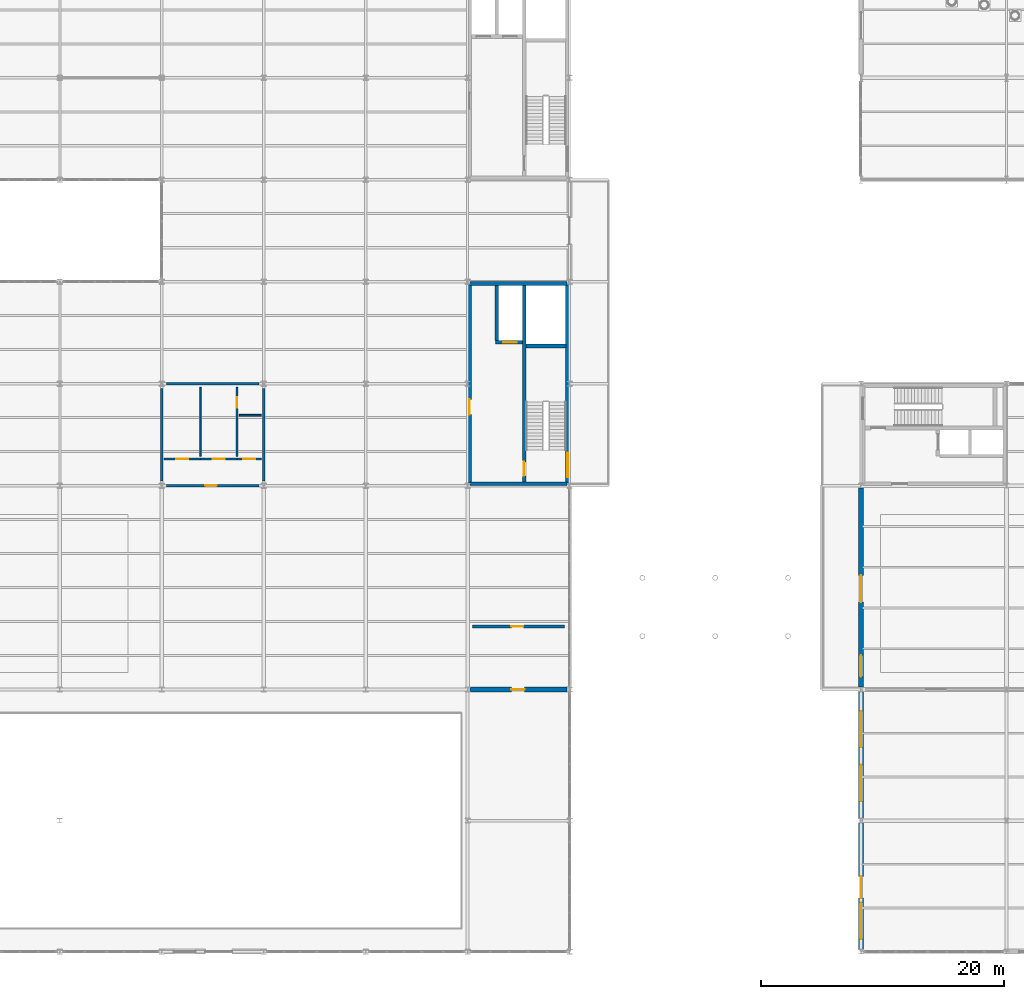
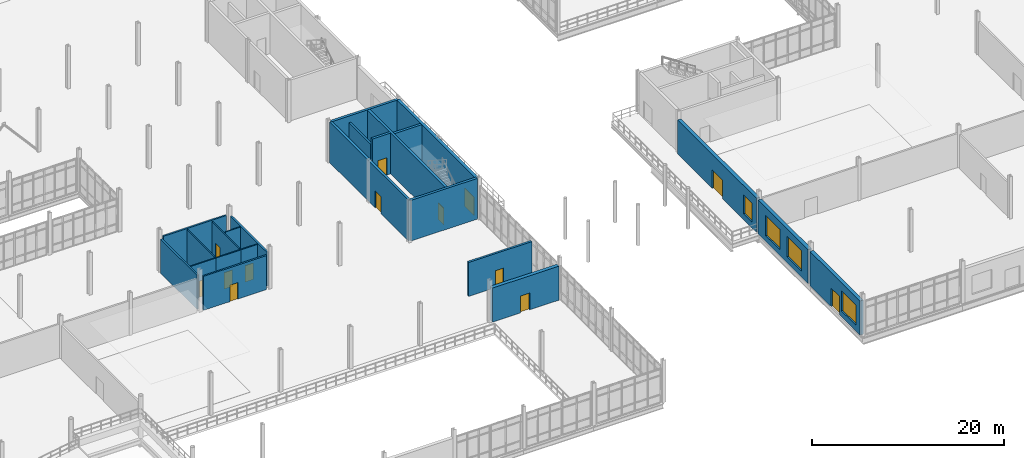
# One storey, part 97 of 111: 23 walls, 13 doors, 4 windows, 17 openings.
"""IFC4 building model written with IfcOpenShell, lengths in metres."""

from ifc_helpers import new_model, si_unit, direction, frame, frame_2d, origin, place, context, subcontext, project, spatial, rectangle, extrude, material, layer, layer_set, type_object, element, fill, save


model = new_model("IFC4")

# Units and contexts
model_context = context("Model", 3, precision=1e-05, world=origin(), true_north=direction((0.0, 1.0)))
body_context = subcontext(model_context, "Body", "Model", "MODEL_VIEW")
ifc_project = project(units=[si_unit("LENGTHUNIT", "METRE"), si_unit("AREAUNIT", "SQUARE_METRE"), si_unit("VOLUMEUNIT", "CUBIC_METRE"), si_unit("PLANEANGLEUNIT", "RADIAN"), si_unit("MASSUNIT", "GRAM", prefix="KILO"), si_unit("THERMODYNAMICTEMPERATUREUNIT", "KELVIN"), si_unit("POWERUNIT", "WATT")], contexts=[model_context])

# Site, building, storey
site_placement = place(None, origin())
site = spatial("IfcSite", under=ifc_project, at=site_placement, CompositionType="ELEMENT")
building_placement = place(site_placement, origin())
building = spatial("IfcBuilding", under=site, at=building_placement, Name="Tembeka Court Mobility Hub", CompositionType="ELEMENT")
storey_placement = place(building_placement, origin())
storey = spatial("IfcBuildingStorey", under=building, at=storey_placement, Name="L00", CompositionType="ELEMENT", Elevation=0.0)

# Wall, opening, door
ifc_material_1 = material(Name="Insulated Nairobi volcanic-tuff masonry", Category="masonry")
ifc_layer_1 = layer(ifc_material_1, 0.419921875)
ifc_layer_set_1 = layer_set([ifc_layer_1], Name="Insulated Nairobi volcanic-tuff masonry")
wall_type_1 = type_object("IfcWallType", Name="WL-EW01", PredefinedType="STANDARD", material=ifc_layer_set_1)
wall_1_placement = place(storey_placement, frame((84.197509765625, 21.60009765625, 0.0), z_axis=(0.0, 0.0, 1.0), x_axis=(1.0, 0.0, 0.0)))
wall_1 = element("IfcWall", 1, at=wall_1_placement, inside=storey, type_object=wall_type_1, Name="External wall EW01 (EW-L00-0066)", PredefinedType="STANDARD", context=body_context, shape_type="SweptSolid", body=[
    extrude(rectangle(XDim=8.0048828125, YDim=0.419921875, at=frame_2d((4.00244140625, 0.0))), origin(), (0.0, 0.0, 1.0), 4.3349609375),
])
opening_1_placement = place(wall_1_placement, frame((3.39990234375, 0.0, 0.0)))
opening_1 = element("IfcOpeningElement", 2, at=opening_1_placement, cuts=wall_1, Name="Opening ED05", PredefinedType="OPENING", context=body_context, shape_type="SweptSolid", body=[
    extrude(rectangle(XDim=1.10009765625, YDim=2.14990234375, at=frame_2d((0.550048828125, 1.074951171875))), frame((0.0, 0.219970703125, 0.0), z_axis=(0.0, -1.0, 0.0), x_axis=(1.0, 0.0, 0.0)), (0.0, 0.0, 1.0), 0.43994140625),
])
ifc_material_2 = material(Name="Powder-coated aluminium glazed doorset", Category="aluminium")
door_type_1 = type_object("IfcDoorType", Name="DR-ED05", OperationType="NOTDEFINED", PredefinedType="DOOR", material=ifc_material_2)
door_1_placement = place(opening_1_placement, frame((1.10009765625, 0.0, 0.0), z_axis=(0.0, 0.0, 1.0), x_axis=(-1.0, 0.0, 0.0)))
door_1 = element("IfcDoor", 3, at=door_1_placement, inside=storey, type_object=door_type_1, Name="Fire command room entrance ED05", OperationType="SINGLE_SWING_RIGHT", OverallHeight=2.14990234375, OverallWidth=1.10009765625, PredefinedType="DOOR", context=body_context, shape_type="SweptSolid", body=[
    extrude(rectangle(XDim=1.10009765625, YDim=2.14990234375, at=frame_2d((0.550048828125, 1.074951171875))), frame((0.0, 0.02490234375, 0.0), z_axis=(0.0, -1.0, 0.0), x_axis=(1.0, 0.0, 0.0)), (0.0, 0.0, 1.0), 0.050048828125),
])
fill(opening_1, door_1)

# Wall, openings, door, window
wall_2_placement = place(storey_placement, frame((116.39990234375, 0.1884765625, 0.0), z_axis=(0.0, 0.0, 1.0), x_axis=(0.0, 1.0, 0.0)))
wall_2 = element("IfcWall", 4, at=wall_2_placement, inside=storey, type_object=wall_type_1, Name="External wall EW01 (EW-L00-0072)", PredefinedType="STANDARD", context=body_context, shape_type="SweptSolid", body=[
    extrude(rectangle(XDim=10.423095703125, YDim=0.419921875, at=frame_2d((5.21142578125, 0.0))), origin(), (0.0, 0.0, 1.0), 4.3349609375),
])
opening_2_placement = place(wall_2_placement, frame((4.219970703125, 0.0, 0.0)))
opening_2 = element("IfcOpeningElement", 5, at=opening_2_placement, cuts=wall_2, Name="Opening E16", PredefinedType="OPENING", context=body_context, shape_type="SweptSolid", body=[
    extrude(rectangle(XDim=1.800048828125, YDim=2.35009765625, at=frame_2d((0.89990234375, 1.175048828125))), frame((0.0, 0.219970703125, 0.0), z_axis=(0.0, -1.0, 0.0), x_axis=(1.0, 0.0, 0.0)), (0.0, 0.0, 1.0), 0.43994140625),
])
opening_3_placement = place(wall_2_placement, frame((0.85009765625, 0.0, 0.75)))
opening_3 = element("IfcOpeningElement", 6, at=opening_3_placement, cuts=wall_2, Name="Opening WN03", PredefinedType="OPENING", context=body_context, shape_type="SweptSolid", body=[
    extrude(rectangle(XDim=3.0, YDim=2.60009765625, at=frame_2d((1.5, 1.300048828125))), frame((0.0, 0.219970703125, 0.0), z_axis=(0.0, -1.0, 0.0), x_axis=(1.0, 0.0, 0.0)), (0.0, 0.0, 1.0), 0.43994140625),
])
door_type_2 = type_object("IfcDoorType", Name="DR-E16", OperationType="NOTDEFINED", PredefinedType="DOOR", material=ifc_material_2)
door_2_placement = place(opening_2_placement, origin())
door_2 = element("IfcDoor", 7, at=door_2_placement, inside=storey, type_object=door_type_2, Name="Final exit E16 transit cafe terrace", OperationType="DOUBLE_DOOR_SINGLE_SWING", OverallHeight=2.35009765625, OverallWidth=1.800048828125, PredefinedType="DOOR", context=body_context, shape_type="SweptSolid", body=[
    extrude(rectangle(XDim=1.800048828125, YDim=2.35009765625, at=frame_2d((0.89990234375, 1.175048828125))), frame((0.0, 0.02490234375, 0.0), z_axis=(0.0, -1.0, 0.0), x_axis=(1.0, 0.0, 0.0)), (0.0, 0.0, 1.0), 0.050048828125),
])
fill(opening_2, door_2)
ifc_material_3 = material(Name="Laminated solar-control low-E glass", Category="glass")
window_type_1 = type_object("IfcWindowType", Name="WN-W03", PartitioningType="SINGLE_PANEL", PredefinedType="WINDOW", material=ifc_material_3)
window_1_placement = place(opening_3_placement, origin())
window_1 = element("IfcWindow", 8, at=window_1_placement, inside=storey, type_object=window_type_1, Name="Window WN03-0011", OverallHeight=2.60009765625, OverallWidth=3.0, PartitioningType="SINGLE_PANEL", PredefinedType="WINDOW", context=body_context, shape_type="SweptSolid", body=[
    extrude(rectangle(XDim=3.0, YDim=2.60009765625, at=frame_2d((1.5, 1.300048828125))), frame((0.0, 0.030029296875, 0.0), z_axis=(0.0, -1.0, 0.0), x_axis=(1.0, 0.0, 0.0)), (0.0, 0.0, 1.0), 0.06005859375),
])
fill(opening_3, window_1)

# Wall, openings, windows
wall_3_placement = place(storey_placement, frame((116.39990234375, 10.988525390625, 0.0), z_axis=(0.0, 0.0, 1.0), x_axis=(0.0, 1.0, 0.0)))
wall_3 = element("IfcWall", 9, at=wall_3_placement, inside=storey, type_object=wall_type_1, Name="External wall EW01 (EW-L00-0073)", PredefinedType="STANDARD", context=body_context, shape_type="SweptSolid", body=[
    extrude(rectangle(XDim=10.423095703125, YDim=0.419921875, at=frame_2d((5.21142578125, 0.0))), origin(), (0.0, 0.0, 1.0), 4.3349609375),
])
opening_4_placement = place(wall_3_placement, frame((1.39990234375, 0.0, 0.75)))
opening_4 = element("IfcOpeningElement", 10, at=opening_4_placement, cuts=wall_3, Name="Opening WN03", PredefinedType="OPENING", context=body_context, shape_type="SweptSolid", body=[
    extrude(rectangle(XDim=3.0, YDim=2.60009765625, at=frame_2d((1.5, 1.300048828125))), frame((0.0, 0.219970703125, 0.0), z_axis=(0.0, -1.0, 0.0), x_axis=(1.0, 0.0, 0.0)), (0.0, 0.0, 1.0), 0.43994140625),
])
opening_5_placement = place(wall_3_placement, frame((5.840087890625, 0.0, 0.75)))
opening_5 = element("IfcOpeningElement", 11, at=opening_5_placement, cuts=wall_3, Name="Opening WN03", PredefinedType="OPENING", context=body_context, shape_type="SweptSolid", body=[
    extrude(rectangle(XDim=3.0, YDim=2.60009765625, at=frame_2d((1.5, 1.300048828125))), frame((0.0, 0.219970703125, 0.0), z_axis=(0.0, -1.0, 0.0), x_axis=(1.0, 0.0, 0.0)), (0.0, 0.0, 1.0), 0.43994140625),
])
window_2_placement = place(opening_4_placement, origin())
window_2 = element("IfcWindow", 12, at=window_2_placement, inside=storey, type_object=window_type_1, Name="Window WN03-0012", OverallHeight=2.60009765625, OverallWidth=3.0, PartitioningType="SINGLE_PANEL", PredefinedType="WINDOW", context=body_context, shape_type="SweptSolid", body=[
    extrude(rectangle(XDim=3.0, YDim=2.60009765625, at=frame_2d((1.5, 1.300048828125))), frame((0.0, 0.030029296875, 0.0), z_axis=(0.0, -1.0, 0.0), x_axis=(1.0, 0.0, 0.0)), (0.0, 0.0, 1.0), 0.06005859375),
])
fill(opening_4, window_2)
window_3_placement = place(opening_5_placement, origin())
window_3 = element("IfcWindow", 13, at=window_3_placement, inside=storey, type_object=window_type_1, Name="Window WN03-0013", OverallHeight=2.60009765625, OverallWidth=3.0, PartitioningType="SINGLE_PANEL", PredefinedType="WINDOW", context=body_context, shape_type="SweptSolid", body=[
    extrude(rectangle(XDim=3.0, YDim=2.60009765625, at=frame_2d((1.5, 1.300048828125))), frame((0.0, 0.030029296875, 0.0), z_axis=(0.0, -1.0, 0.0), x_axis=(1.0, 0.0, 0.0)), (0.0, 0.0, 1.0), 0.06005859375),
])
fill(opening_5, window_3)

# Wall, openings, door, window
wall_4_placement = place(storey_placement, frame((116.39990234375, 21.78857421875, 0.0), z_axis=(0.0, 0.0, 1.0), x_axis=(0.0, 1.0, 0.0)))
wall_4 = element("IfcWall", 14, at=wall_4_placement, inside=storey, type_object=wall_type_1, Name="External wall EW01 (EW-L00-0074)", PredefinedType="STANDARD", context=body_context, shape_type="SweptSolid", body=[
    extrude(rectangle(XDim=16.429443359375, YDim=0.419921875, at=frame_2d((8.21484375, 0.0))), origin(), (0.0, 0.0, 1.0), 4.3349609375),
])
opening_6_placement = place(wall_4_placement, frame((7.02001953125, 0.0, 0.0)))
opening_6 = element("IfcOpeningElement", 15, at=opening_6_placement, cuts=wall_4, Name="Opening E12", PredefinedType="OPENING", context=body_context, shape_type="SweptSolid", body=[
    extrude(rectangle(XDim=2.199951171875, YDim=2.35009765625, at=frame_2d((1.10009765625, 1.175048828125))), frame((0.0, 0.219970703125, 0.0), z_axis=(0.0, -1.0, 0.0), x_axis=(1.0, 0.0, 0.0)), (0.0, 0.0, 1.0), 0.43994140625),
])
opening_7_placement = place(wall_4_placement, frame((0.85009765625, 0.0, 0.75)))
opening_7 = element("IfcOpeningElement", 16, at=opening_7_placement, cuts=wall_4, Name="Opening WN01", PredefinedType="OPENING", context=body_context, shape_type="SweptSolid", body=[
    extrude(rectangle(XDim=1.800048828125, YDim=2.39990234375, at=frame_2d((0.89990234375, 1.199951171875))), frame((0.0, 0.219970703125, 0.0), z_axis=(0.0, -1.0, 0.0), x_axis=(1.0, 0.0, 0.0)), (0.0, 0.0, 1.0), 0.43994140625),
])
door_type_3 = type_object("IfcDoorType", Name="DR-E12", OperationType="NOTDEFINED", PredefinedType="DOOR", material=ifc_material_2)
door_3_placement = place(opening_6_placement, origin())
door_3 = element("IfcDoor", 17, at=door_3_placement, inside=storey, type_object=door_type_3, Name="Main entrance E12 metro plaza arcade", OperationType="DOUBLE_DOOR_SINGLE_SWING", OverallHeight=2.35009765625, OverallWidth=2.199951171875, PredefinedType="DOOR", context=body_context, shape_type="SweptSolid", body=[
    extrude(rectangle(XDim=2.199951171875, YDim=2.35009765625, at=frame_2d((1.10009765625, 1.175048828125))), frame((0.0, 0.02490234375, 0.0), z_axis=(0.0, -1.0, 0.0), x_axis=(1.0, 0.0, 0.0)), (0.0, 0.0, 1.0), 0.050048828125),
])
fill(opening_6, door_3)
window_type_2 = type_object("IfcWindowType", Name="WN-W01", PartitioningType="SINGLE_PANEL", PredefinedType="WINDOW", material=ifc_material_3)
window_4_placement = place(opening_7_placement, origin())
window_4 = element("IfcWindow", 18, at=window_4_placement, inside=storey, type_object=window_type_2, Name="Window WN01-0014", OverallHeight=2.39990234375, OverallWidth=1.800048828125, PartitioningType="SINGLE_PANEL", PredefinedType="WINDOW", context=body_context, shape_type="SweptSolid", body=[
    extrude(rectangle(XDim=1.800048828125, YDim=2.39990234375, at=frame_2d((0.89990234375, 1.199951171875))), frame((0.0, 0.030029296875, 0.0), z_axis=(0.0, -1.0, 0.0), x_axis=(1.0, 0.0, 0.0)), (0.0, 0.0, 1.0), 0.06005859375),
])
fill(opening_7, window_4)

# Wall
ifc_material_4 = material(Name="Concrete C40/50", Category="concrete")
ifc_layer_2 = layer(ifc_material_4, 0.25)
ifc_layer_set_2 = layer_set([ifc_layer_2], Name="Concrete C40/50")
wall_type_2 = type_object("IfcWallType", Name="WL-IW01", PredefinedType="PARTITIONING", material=ifc_layer_set_2)
wall_5_placement = place(storey_placement, frame((86.39990234375, 50.35009765625, 0.0), z_axis=(0.0, 0.0, 1.0), x_axis=(0.0, 1.0, 0.0)))
element("IfcWall", 19, at=wall_5_placement, inside=storey, type_object=wall_type_2, Name="Wall IW01 (IW-L00-0200)", PredefinedType="PARTITIONING", context=body_context, shape_type="SweptSolid", body=[
    extrude(rectangle(XDim=4.5498046875, YDim=0.25, at=frame_2d((2.27490234375, 0.0))), origin(), (0.0, 0.0, 1.0), 4.324951171875),
])

# Wall, opening, door
wall_6_placement = place(storey_placement, frame((84.39990234375, 26.800048828125, 0.0), z_axis=(0.0, 0.0, 1.0), x_axis=(1.0, 0.0, 0.0)))
wall_6 = element("IfcWall", 20, at=wall_6_placement, inside=storey, type_object=wall_type_2, Name="Wall IW01 (IW-L00-0423)", PredefinedType="PARTITIONING", context=body_context, shape_type="SweptSolid", body=[
    extrude(rectangle(XDim=7.60009765625, YDim=0.25, at=frame_2d((3.800048828125, 0.0))), origin(), (0.0, 0.0, 1.0), 4.324951171875),
])
opening_8_placement = place(wall_6_placement, frame((3.199951171875, 0.0, 0.0)))
opening_8 = element("IfcOpeningElement", 21, at=opening_8_placement, cuts=wall_6, Name="Opening FD05", PredefinedType="OPENING", context=body_context, shape_type="SweptSolid", body=[
    extrude(rectangle(XDim=1.0, YDim=2.14990234375, at=frame_2d((0.5, 1.074951171875))), frame((0.0, 0.135009765625, 0.0), z_axis=(0.0, -1.0, 0.0), x_axis=(1.0, 0.0, 0.0)), (0.0, 0.0, 1.0), 0.27001953125),
])
ifc_material_5 = material(Name="Galvanised steel fire/shutter doorset", Category="steel")
door_type_4 = type_object("IfcDoorType", Name="DR-FD05", OperationType="NOTDEFINED", PredefinedType="DOOR", material=ifc_material_5)
door_4_placement = place(opening_8_placement, origin())
door_4 = element("IfcDoor", 22, at=door_4_placement, inside=storey, type_object=door_type_4, Name="Door FD05-0196", OperationType="SINGLE_SWING_LEFT", OverallHeight=2.14990234375, OverallWidth=1.0, PredefinedType="DOOR", context=body_context, shape_type="SweptSolid", body=[
    extrude(rectangle(XDim=1.0, YDim=2.14990234375, at=frame_2d((0.5, 1.074951171875))), frame((0.0, 0.02490234375, 0.0), z_axis=(0.0, -1.0, 0.0), x_axis=(1.0, 0.0, 0.0)), (0.0, 0.0, 1.0), 0.050048828125),
])
fill(opening_8, door_4)

ifc_material_6 = material(Name="Concrete blockwork masonry", Category="masonry")
ifc_layer_3 = layer(ifc_material_6, 0.199951171875)
ifc_layer_set_3 = layer_set([ifc_layer_3], Name="Concrete blockwork masonry")
wall_type_3 = type_object("IfcWallType", Name="WL-IW02", PredefinedType="PARTITIONING", material=ifc_layer_set_3)
wall_7_placement = place(storey_placement, frame((59.199951171875, 38.39990234375, 0.0), z_axis=(0.0, 0.0, 1.0), x_axis=(1.0, 0.0, 0.0)))
wall_7 = element("IfcWall", 23, at=wall_7_placement, inside=storey, type_object=wall_type_3, Name="Wall IW02 (IW-L00-0346)", PredefinedType="PARTITIONING", context=body_context, shape_type="SweptSolid", body=[
    extrude(rectangle(XDim=7.60009765625, YDim=0.199951171875, at=frame_2d((3.800048828125, 0.0))), origin(), (0.0, 0.0, 1.0), 4.324951171875),
])
opening_9_placement = place(wall_7_placement, frame((3.199951171875, 0.0, 0.0)))
opening_9 = element("IfcOpeningElement", 24, at=opening_9_placement, cuts=wall_7, Name="Opening ID03", PredefinedType="OPENING", context=body_context, shape_type="SweptSolid", body=[
    extrude(rectangle(XDim=0.919921875, YDim=2.10009765625, at=frame_2d((0.4599609375, 1.050048828125))), frame((0.0, 0.10986328125, 0.0), z_axis=(0.0, -1.0, 0.0), x_axis=(1.0, 0.0, 0.0)), (0.0, 0.0, 1.0), 0.219970703125),
])
door_type_5 = type_object("IfcDoorType", Name="DR-ID03", OperationType="NOTDEFINED", PredefinedType="DOOR", material=ifc_material_5)
door_5_placement = place(opening_9_placement, origin())
door_5 = element("IfcDoor", 25, at=door_5_placement, inside=storey, type_object=door_type_5, Name="L00 washroom lobby entrance", OperationType="SINGLE_SWING_RIGHT", OverallHeight=2.10009765625, OverallWidth=0.919921875, PredefinedType="DOOR", context=body_context, shape_type="SweptSolid", body=[
    extrude(rectangle(XDim=0.919921875, YDim=2.10009765625, at=frame_2d((0.4599609375, 1.050048828125))), frame((0.0, 0.02490234375, 0.0), z_axis=(0.0, -1.0, 0.0), x_axis=(1.0, 0.0, 0.0)), (0.0, 0.0, 1.0), 0.050048828125),
])
fill(opening_9, door_5)

# Walls
wall_8_placement = place(storey_placement, frame((59.199951171875, 46.800048828125, 0.0), z_axis=(0.0, 0.0, 1.0), x_axis=(1.0, 0.0, 0.0)))
element("IfcWall", 26, at=wall_8_placement, inside=storey, type_object=wall_type_3, Name="Wall IW02 (IW-L00-0347)", PredefinedType="PARTITIONING", context=body_context, shape_type="SweptSolid", body=[
    extrude(rectangle(XDim=7.60009765625, YDim=0.199951171875, at=frame_2d((3.800048828125, 0.0))), origin(), (0.0, 0.0, 1.0), 4.324951171875),
])
for number, where, z_axis, x_axis, name in (
    (27, (58.800048828125, 38.800048828125, 0.0), (0.0, 0.0, 1.0), (0.0, 1.0, 0.0), "Wall IW02 (IW-L00-0348)"),
    (28, (67.199951171875, 38.800048828125, 0.0), (0.0, 0.0, 1.0), (0.0, 1.0, 0.0), "Wall IW02 (IW-L00-0349)"),
):
    element("IfcWall", number, at=place(storey_placement, frame(where, z_axis=z_axis, x_axis=x_axis)), inside=storey, type_object=wall_type_3, Name=name, PredefinedType="PARTITIONING", context=body_context, shape_type="SweptSolid", body=[
        extrude(rectangle(XDim=7.599853515625, YDim=0.199951171875, at=frame_2d((3.7998046875, 0.0))), origin(), (0.0, 0.0, 1.0), 4.324951171875),
    ])

# Wall, opening, door
ifc_material_7 = material(Name="Moisture-resistant gypsum partition", Category="masonry")
ifc_layer_4 = layer(ifc_material_7, 0.139892578125)
ifc_layer_set_4 = layer_set([ifc_layer_4], Name="Moisture-resistant gypsum partition")
wall_type_4 = type_object("IfcWallType", Name="WL-IW05", PredefinedType="PARTITIONING", material=ifc_layer_set_4)
wall_9_placement = place(storey_placement, frame((59.0, 40.60009765625, 0.0), z_axis=(0.0, 0.0, 1.0), x_axis=(1.0, 0.0, 0.0)))
wall_9 = element("IfcWall", 29, at=wall_9_placement, inside=storey, type_object=wall_type_4, Name="Wall IW05 (IW-L00-0350)", PredefinedType="PARTITIONING", context=body_context, shape_type="SweptSolid", body=[
    extrude(rectangle(XDim=3.0, YDim=0.139892578125, at=frame_2d((1.5, 0.0))), origin(), (0.0, 0.0, 1.0), 4.324951171875),
])
opening_10_placement = place(wall_9_placement, frame((1.0, 0.0, 0.0)))
opening_10 = element("IfcOpeningElement", 30, at=opening_10_placement, cuts=wall_9, Name="Opening ID02", PredefinedType="OPENING", context=body_context, shape_type="SweptSolid", body=[
    extrude(rectangle(XDim=1.0, YDim=2.10009765625, at=frame_2d((0.5, 1.050048828125))), frame((0.0, 0.080078125, 0.0), z_axis=(0.0, -1.0, 0.0), x_axis=(1.0, 0.0, 0.0)), (0.0, 0.0, 1.0), 0.159912109375),
])
door_type_6 = type_object("IfcDoorType", Name="DR-ID02", OperationType="NOTDEFINED", PredefinedType="DOOR", material=ifc_material_2)
door_6_placement = place(opening_10_placement, origin())
door_6 = element("IfcDoor", 31, at=door_6_placement, inside=storey, type_object=door_type_6, Name="L00 male WC door", OperationType="SINGLE_SWING_LEFT", OverallHeight=2.10009765625, OverallWidth=1.0, PredefinedType="DOOR", context=body_context, shape_type="SweptSolid", body=[
    extrude(rectangle(XDim=1.0, YDim=2.10009765625, at=frame_2d((0.5, 1.050048828125))), frame((0.0, 0.02490234375, 0.0), z_axis=(0.0, -1.0, 0.0), x_axis=(1.0, 0.0, 0.0)), (0.0, 0.0, 1.0), 0.050048828125),
])
fill(opening_10, door_6)

wall_10_placement = place(storey_placement, frame((62.0, 40.60009765625, 0.0), z_axis=(0.0, 0.0, 1.0), x_axis=(1.0, 0.0, 0.0)))
wall_10 = element("IfcWall", 32, at=wall_10_placement, inside=storey, type_object=wall_type_4, Name="Wall IW05 (IW-L00-0351)", PredefinedType="PARTITIONING", context=body_context, shape_type="SweptSolid", body=[
    extrude(rectangle(XDim=3.0, YDim=0.139892578125, at=frame_2d((1.5, 0.0))), origin(), (0.0, 0.0, 1.0), 4.324951171875),
])
opening_11_placement = place(wall_10_placement, frame((1.0, 0.0, 0.0)))
opening_11 = element("IfcOpeningElement", 33, at=opening_11_placement, cuts=wall_10, Name="Opening ID02", PredefinedType="OPENING", context=body_context, shape_type="SweptSolid", body=[
    extrude(rectangle(XDim=1.0, YDim=2.10009765625, at=frame_2d((0.5, 1.050048828125))), frame((0.0, 0.080078125, 0.0), z_axis=(0.0, -1.0, 0.0), x_axis=(1.0, 0.0, 0.0)), (0.0, 0.0, 1.0), 0.159912109375),
])
door_7_placement = place(opening_11_placement, origin())
door_7 = element("IfcDoor", 34, at=door_7_placement, inside=storey, type_object=door_type_6, Name="L00 female WC door", OperationType="SINGLE_SWING_RIGHT", OverallHeight=2.10009765625, OverallWidth=1.0, PredefinedType="DOOR", context=body_context, shape_type="SweptSolid", body=[
    extrude(rectangle(XDim=1.0, YDim=2.10009765625, at=frame_2d((0.5, 1.050048828125))), frame((0.0, 0.02490234375, 0.0), z_axis=(0.0, -1.0, 0.0), x_axis=(1.0, 0.0, 0.0)), (0.0, 0.0, 1.0), 0.050048828125),
])
fill(opening_11, door_7)

wall_11_placement = place(storey_placement, frame((65.0, 40.60009765625, 0.0), z_axis=(0.0, 0.0, 1.0), x_axis=(1.0, 0.0, 0.0)))
wall_11 = element("IfcWall", 35, at=wall_11_placement, inside=storey, type_object=wall_type_4, Name="Wall IW05 (IW-L00-0352)", PredefinedType="PARTITIONING", context=body_context, shape_type="SweptSolid", body=[
    extrude(rectangle(XDim=2.0, YDim=0.139892578125, at=frame_2d((1.0, 0.0))), origin(), (0.0, 0.0, 1.0), 4.324951171875),
])
opening_12_placement = place(wall_11_placement, frame((0.5, 0.0, 0.0)))
opening_12 = element("IfcOpeningElement", 36, at=opening_12_placement, cuts=wall_11, Name="Opening ID02", PredefinedType="OPENING", context=body_context, shape_type="SweptSolid", body=[
    extrude(rectangle(XDim=1.0, YDim=2.10009765625, at=frame_2d((0.5, 1.050048828125))), frame((0.0, 0.080078125, 0.0), z_axis=(0.0, -1.0, 0.0), x_axis=(1.0, 0.0, 0.0)), (0.0, 0.0, 1.0), 0.159912109375),
])
door_8_placement = place(opening_12_placement, origin())
door_8 = element("IfcDoor", 37, at=door_8_placement, inside=storey, type_object=door_type_6, Name="L00 accessible unisex WC door", OperationType="SINGLE_SWING_LEFT", OverallHeight=2.10009765625, OverallWidth=1.0, PredefinedType="DOOR", context=body_context, shape_type="SweptSolid", body=[
    extrude(rectangle(XDim=1.0, YDim=2.10009765625, at=frame_2d((0.5, 1.050048828125))), frame((0.0, 0.02490234375, 0.0), z_axis=(0.0, -1.0, 0.0), x_axis=(1.0, 0.0, 0.0)), (0.0, 0.0, 1.0), 0.050048828125),
])
fill(opening_12, door_8)

# Wall
wall_12_placement = place(storey_placement, frame((62.0, 40.800048828125, 0.0), z_axis=(0.0, 0.0, 1.0), x_axis=(0.0, 1.0, 0.0)))
element("IfcWall", 38, at=wall_12_placement, inside=storey, type_object=wall_type_4, Name="Wall IW05 (IW-L00-0353)", PredefinedType="PARTITIONING", context=body_context, shape_type="SweptSolid", body=[
    extrude(rectangle(XDim=5.699951171875, YDim=0.139892578125, at=frame_2d((2.85009765625, 0.0))), origin(), (0.0, 0.0, 1.0), 4.324951171875),
])

# Wall, opening, door
wall_13_placement = place(storey_placement, frame((65.0, 40.800048828125, 0.0), z_axis=(0.0, 0.0, 1.0), x_axis=(0.0, 1.0, 0.0)))
wall_13 = element("IfcWall", 39, at=wall_13_placement, inside=storey, type_object=wall_type_4, Name="Wall IW05 (IW-L00-0354)", PredefinedType="PARTITIONING", context=body_context, shape_type="SweptSolid", body=[
    extrude(rectangle(XDim=5.699951171875, YDim=0.139892578125, at=frame_2d((2.85009765625, 0.0))), origin(), (0.0, 0.0, 1.0), 4.324951171875),
])
opening_13_placement = place(wall_13_placement, frame((4.0, 0.0, 0.0)))
opening_13 = element("IfcOpeningElement", 40, at=opening_13_placement, cuts=wall_13, Name="Opening ID08", PredefinedType="OPENING", context=body_context, shape_type="SweptSolid", body=[
    extrude(rectangle(XDim=0.89990234375, YDim=2.050048828125, at=frame_2d((0.449951171875, 1.02490234375))), frame((0.0, 0.080078125, 0.0), z_axis=(0.0, -1.0, 0.0), x_axis=(1.0, 0.0, 0.0)), (0.0, 0.0, 1.0), 0.159912109375),
])
door_type_7 = type_object("IfcDoorType", Name="DR-ID08", OperationType="NOTDEFINED", PredefinedType="DOOR", material=ifc_material_2)
door_9_placement = place(opening_13_placement, origin())
door_9 = element("IfcDoor", 41, at=door_9_placement, inside=storey, type_object=door_type_7, Name="L00 cleaner cupboard door", OperationType="SINGLE_SWING_RIGHT", OverallHeight=2.050048828125, OverallWidth=0.89990234375, PredefinedType="DOOR", context=body_context, shape_type="SweptSolid", body=[
    extrude(rectangle(XDim=0.89990234375, YDim=2.050048828125, at=frame_2d((0.449951171875, 1.02490234375))), frame((0.0, 0.02490234375, 0.0), z_axis=(0.0, -1.0, 0.0), x_axis=(1.0, 0.0, 0.0)), (0.0, 0.0, 1.0), 0.050048828125),
])
fill(opening_13, door_9)

# Walls
wall_14_placement = place(storey_placement, frame((65.199951171875, 44.199951171875, 0.0), z_axis=(0.0, 0.0, 1.0), x_axis=(1.0, 0.0, 0.0)))
element("IfcWall", 42, at=wall_14_placement, inside=storey, type_object=wall_type_4, Name="Wall IW05 (IW-L00-0355)", PredefinedType="PARTITIONING", context=body_context, shape_type="SweptSolid", body=[
    extrude(rectangle(XDim=1.800048828125, YDim=0.139892578125, at=frame_2d((0.89990234375, 0.0))), origin(), (0.0, 0.0, 1.0), 4.324951171875),
])
ifc_layer_5 = layer(ifc_material_4, 0.300048828125)
ifc_layer_set_5 = layer_set([ifc_layer_5], Name="Concrete C40/50")
wall_type_5 = type_object("IfcWallType", Name="WL-SW01", PredefinedType="SHEAR", material=ifc_layer_set_5)
for number, where, z_axis, x_axis, name in (
    (43, (84.197509765625, 38.550048828125, 0.0), (0.0, 0.0, 1.0), (1.0, 0.0, 0.0), "Wall SW01 (IW-L00-0193)"),
    (44, (84.197509765625, 55.050048828125, 0.0), (0.0, 0.0, 1.0), (1.0, 0.0, 0.0), "Wall SW01 (IW-L00-0194)"),
):
    element("IfcWall", number, at=place(storey_placement, frame(where, z_axis=z_axis, x_axis=x_axis)), inside=storey, type_object=wall_type_5, Name=name, PredefinedType="SHEAR", context=body_context, shape_type="SweptSolid", body=[
        extrude(rectangle(XDim=8.0048828125, YDim=0.300048828125, at=frame_2d((4.00244140625, 0.0))), origin(), (0.0, 0.0, 1.0), 5.179931640625),
    ])
wall_15_placement = place(storey_placement, frame((88.800048828125, 49.89990234375, 0.0), z_axis=(0.0, 0.0, 1.0), x_axis=(1.0, 0.0, 0.0)))
element("IfcWall", 45, at=wall_15_placement, inside=storey, type_object=wall_type_5, Name="Wall SW01 (IW-L00-0195)", PredefinedType="SHEAR", context=body_context, shape_type="SweptSolid", body=[
    extrude(rectangle(XDim=3.300048828125, YDim=0.300048828125, at=frame_2d((1.64990234375, 0.0))), origin(), (0.0, 0.0, 1.0), 5.179931640625),
])

# Wall, opening, door
wall_16_placement = place(storey_placement, frame((84.14990234375, 38.594970703125, 0.0), z_axis=(0.0, 0.0, 1.0), x_axis=(0.0, 1.0, 0.0)))
wall_16 = element("IfcWall", 46, at=wall_16_placement, inside=storey, type_object=wall_type_5, Name="Wall SW01 (IW-L00-0197)", PredefinedType="SHEAR", context=body_context, shape_type="SweptSolid", body=[
    extrude(rectangle(XDim=16.409912109375, YDim=0.300048828125, at=frame_2d((8.205078125, 0.0))), origin(), (0.0, 0.0, 1.0), 5.179931640625),
])
opening_14_placement = place(wall_16_placement, frame((5.655029296875, 0.0, 0.0)))
opening_14 = element("IfcOpeningElement", 47, at=opening_14_placement, cuts=wall_16, Name="Opening FD01", PredefinedType="OPENING", context=body_context, shape_type="SweptSolid", body=[
    extrude(rectangle(XDim=1.25, YDim=2.14990234375, at=frame_2d((0.625, 1.074951171875))), frame((0.0, 0.16015625, 0.0), z_axis=(0.0, -1.0, 0.0), x_axis=(1.0, 0.0, 0.0)), (0.0, 0.0, 1.0), 0.320068359375),
])
door_type_8 = type_object("IfcDoorType", Name="DR-FD01", OperationType="NOTDEFINED", PredefinedType="DOOR", material=ifc_material_5)
door_10_placement = place(opening_14_placement, origin())
door_10 = element("IfcDoor", 48, at=door_10_placement, inside=storey, type_object=door_type_8, Name="Door FD01-0093", OperationType="SINGLE_SWING_RIGHT", OverallHeight=2.14990234375, OverallWidth=1.25, PredefinedType="DOOR", context=body_context, shape_type="SweptSolid", body=[
    extrude(rectangle(XDim=1.25, YDim=2.14990234375, at=frame_2d((0.625, 1.074951171875))), frame((0.0, 0.02490234375, 0.0), z_axis=(0.0, -1.0, 0.0), x_axis=(1.0, 0.0, 0.0)), (0.0, 0.0, 1.0), 0.050048828125),
])
fill(opening_14, door_10)

wall_17_placement = place(storey_placement, frame((88.64990234375, 38.699951171875, 0.0), z_axis=(0.0, 0.0, 1.0), x_axis=(0.0, 1.0, 0.0)))
wall_17 = element("IfcWall", 49, at=wall_17_placement, inside=storey, type_object=wall_type_5, Name="Wall SW01 (IW-L00-0198)", PredefinedType="SHEAR", context=body_context, shape_type="SweptSolid", body=[
    extrude(rectangle(XDim=16.199951171875, YDim=0.300048828125, at=frame_2d((8.10009765625, 0.0))), origin(), (0.0, 0.0, 1.0), 5.179931640625),
])
opening_15_placement = place(wall_17_placement, frame((0.5, 0.0, 0.0)))
opening_15 = element("IfcOpeningElement", 50, at=opening_15_placement, cuts=wall_17, Name="Opening FD03", PredefinedType="OPENING", context=body_context, shape_type="SweptSolid", body=[
    extrude(rectangle(XDim=1.14990234375, YDim=2.14990234375, at=frame_2d((0.574951171875, 1.074951171875))), frame((0.0, 0.16015625, 0.0), z_axis=(0.0, -1.0, 0.0), x_axis=(1.0, 0.0, 0.0)), (0.0, 0.0, 1.0), 0.320068359375),
])
door_type_9 = type_object("IfcDoorType", Name="DR-FD03", OperationType="NOTDEFINED", PredefinedType="DOOR", material=ifc_material_5)
door_11_placement = place(opening_15_placement, origin())
door_11 = element("IfcDoor", 51, at=door_11_placement, inside=storey, type_object=door_type_9, Name="Door FD03-0094", OperationType="SINGLE_SWING_RIGHT", OverallHeight=2.14990234375, OverallWidth=1.14990234375, PredefinedType="DOOR", context=body_context, shape_type="SweptSolid", body=[
    extrude(rectangle(XDim=1.14990234375, YDim=2.14990234375, at=frame_2d((0.574951171875, 1.074951171875))), frame((0.0, 0.02490234375, 0.0), z_axis=(0.0, -1.0, 0.0), x_axis=(1.0, 0.0, 0.0)), (0.0, 0.0, 1.0), 0.050048828125),
])
fill(opening_15, door_11)

wall_18_placement = place(storey_placement, frame((86.300048828125, 50.199951171875, 0.0), z_axis=(0.0, 0.0, 1.0), x_axis=(1.0, 0.0, 0.0)))
wall_18 = element("IfcWall", 52, at=wall_18_placement, inside=storey, type_object=wall_type_5, Name="Wall SW01 (IW-L00-0199)", PredefinedType="SHEAR", context=body_context, shape_type="SweptSolid", body=[
    extrude(rectangle(XDim=2.199951171875, YDim=0.300048828125, at=frame_2d((1.10009765625, 0.0))), origin(), (0.0, 0.0, 1.0), 5.179931640625),
])
opening_16_placement = place(wall_18_placement, frame((0.64990234375, 0.0, 0.0)))
opening_16 = element("IfcOpeningElement", 53, at=opening_16_placement, cuts=wall_18, Name="Opening LD01", PredefinedType="OPENING", context=body_context, shape_type="SweptSolid", body=[
    extrude(rectangle(XDim=1.10009765625, YDim=2.199951171875, at=frame_2d((0.550048828125, 1.10009765625))), frame((0.0, 0.16015625, 0.0), z_axis=(0.0, -1.0, 0.0), x_axis=(1.0, 0.0, 0.0)), (0.0, 0.0, 1.0), 0.320068359375),
])
door_type_10 = type_object("IfcDoorType", Name="DR-LD01", OperationType="SLIDING_TO_LEFT", PredefinedType="DOOR", material=ifc_material_5)
door_12_placement = place(opening_16_placement, origin())
door_12 = element("IfcDoor", 54, at=door_12_placement, inside=storey, type_object=door_type_10, Name="Lift LF06 landing door L00", OperationType="SLIDING_TO_LEFT", OverallHeight=2.199951171875, OverallWidth=1.10009765625, PredefinedType="DOOR", context=body_context, shape_type="SweptSolid", body=[
    extrude(rectangle(XDim=1.10009765625, YDim=2.199951171875, at=frame_2d((0.550048828125, 1.10009765625))), frame((0.0, 0.02490234375, 0.0), z_axis=(0.0, -1.0, 0.0), x_axis=(1.0, 0.0, 0.0)), (0.0, 0.0, 1.0), 0.050048828125),
])
fill(opening_16, door_12)

ifc_layer_6 = layer(ifc_material_4, 0.35009765625)
ifc_layer_set_6 = layer_set([ifc_layer_6], Name="Concrete C40/50")
wall_type_6 = type_object("IfcWallType", Name="WL-SW02", PredefinedType="SHEAR", material=ifc_layer_set_6)
wall_19_placement = place(storey_placement, frame((92.25, 38.594970703125, 0.0), z_axis=(0.0, 0.0, 1.0), x_axis=(0.0, 1.0, 0.0)))
wall_19 = element("IfcWall", 55, at=wall_19_placement, inside=storey, type_object=wall_type_6, Name="Wall SW02 (IW-L00-0196)", PredefinedType="SHEAR", context=body_context, shape_type="SweptSolid", body=[
    extrude(rectangle(XDim=16.409912109375, YDim=0.35009765625, at=frame_2d((8.205078125, 0.0))), origin(), (0.0, 0.0, 1.0), 5.179931640625),
])
opening_17_placement = place(wall_19_placement, frame((0.5048828125, 0.0, 0.0)))
opening_17 = element("IfcOpeningElement", 56, at=opening_17_placement, cuts=wall_19, Name="Opening E04", PredefinedType="OPENING", context=body_context, shape_type="SweptSolid", body=[
    extrude(rectangle(XDim=2.0, YDim=2.320068359375, at=frame_2d((1.0, 1.16015625))), frame((0.0, 0.18505859375, 0.0), z_axis=(0.0, -1.0, 0.0), x_axis=(1.0, 0.0, 0.0)), (0.0, 0.0, 1.0), 0.3701171875),
])
door_type_11 = type_object("IfcDoorType", Name="DR-E04", OperationType="NOTDEFINED", PredefinedType="DOOR", material=ifc_material_2)
door_13_placement = place(opening_17_placement, frame((2.0, 0.0, 0.0), z_axis=(0.0, 0.0, 1.0), x_axis=(-1.0, 0.0, 0.0)))
door_13 = element("IfcDoor", 57, at=door_13_placement, inside=storey, type_object=door_type_11, Name="Final exit E04 from Stair ST04", OperationType="DOUBLE_DOOR_SINGLE_SWING", OverallHeight=2.320068359375, OverallWidth=2.0, PredefinedType="DOOR", context=body_context, shape_type="SweptSolid", body=[
    extrude(rectangle(XDim=2.0, YDim=2.320068359375, at=frame_2d((1.0, 1.16015625))), frame((0.0, 0.02490234375, 0.0), z_axis=(0.0, -1.0, 0.0), x_axis=(1.0, 0.0, 0.0)), (0.0, 0.0, 1.0), 0.050048828125),
])
fill(opening_17, door_13)

save(model, "model.ifc")
